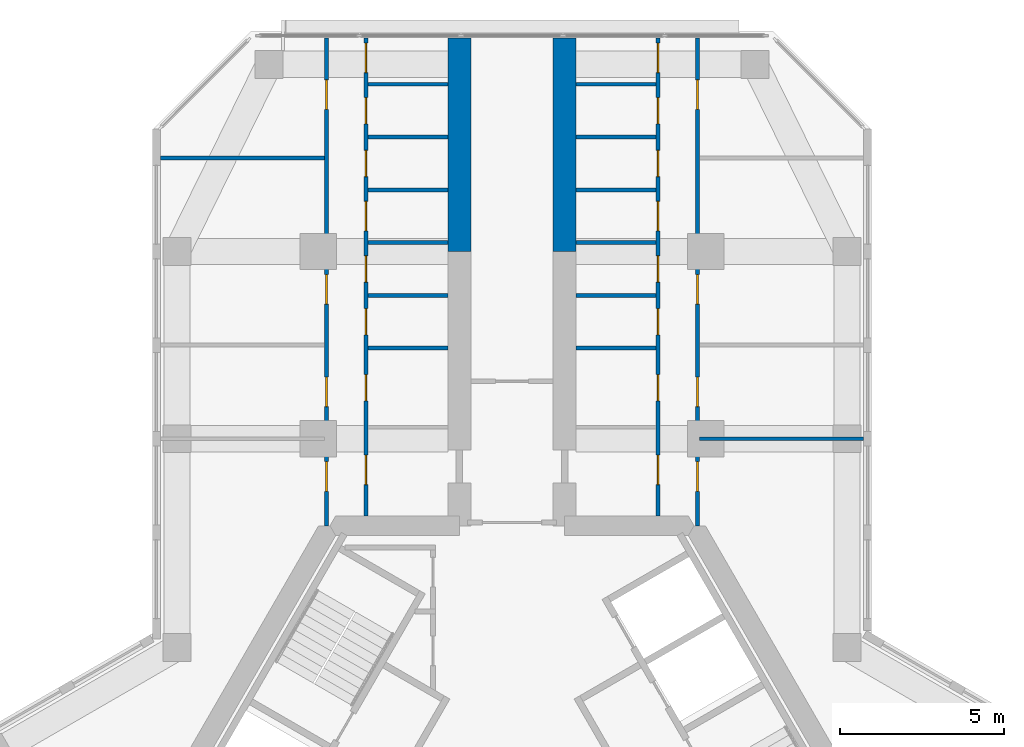
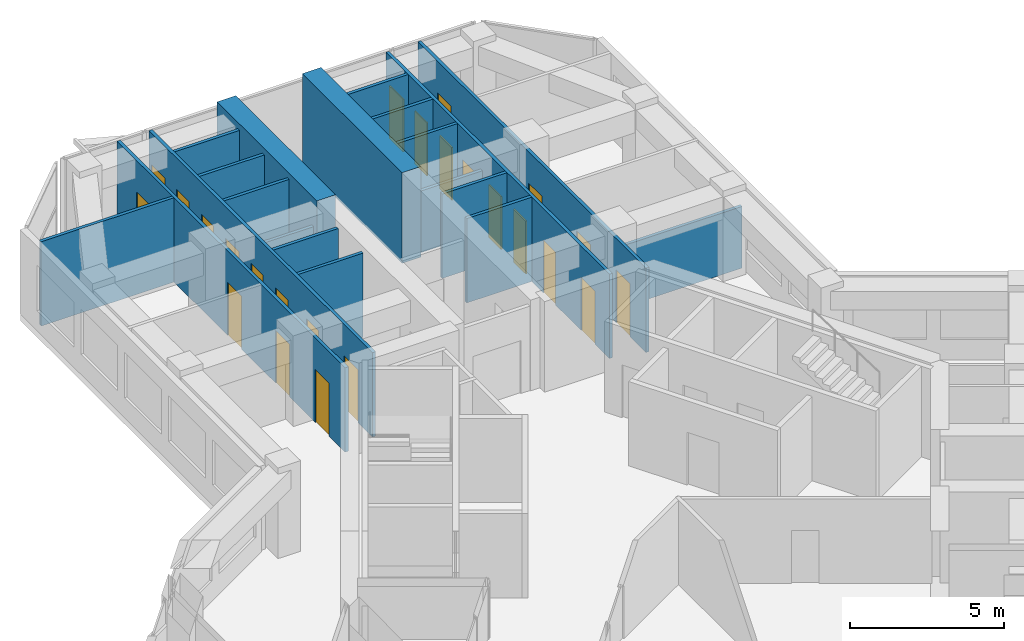
# One storey, part 14 of 16: 24 doors, 20 walls, 24 openings.
"""IFC4 building model written with IfcOpenShell, lengths in metres."""

from ifc_helpers import new_model, si_unit, direction, frame, frame_2d, origin, place, context, subcontext, project, spatial, rectangle, extrude, material, layer, layer_set, type_object, element, fill, save


model = new_model("IFC4")

# Units and contexts
model_context = context("Model", 3, precision=1e-05, world=origin(), true_north=direction((0.0, 1.0)))
body_context = subcontext(model_context, "Body", "Model", "MODEL_VIEW")
ifc_project = project(units=[si_unit("LENGTHUNIT", "METRE"), si_unit("AREAUNIT", "SQUARE_METRE"), si_unit("VOLUMEUNIT", "CUBIC_METRE"), si_unit("PLANEANGLEUNIT", "RADIAN"), si_unit("MASSUNIT", "GRAM", prefix="KILO")], contexts=[model_context])

# Site, building, storey
site_placement = place(None, origin())
site = spatial("IfcSite", under=ifc_project, at=site_placement, CompositionType="ELEMENT")
building_placement = place(site_placement, origin())
building = spatial("IfcBuilding", under=site, at=building_placement, Name="Kosmar Iwan School Tower", CompositionType="ELEMENT")
storey_placement = place(building_placement, frame((0.0, 0.0, 231.60009765625)))
storey = spatial("IfcBuildingStorey", under=building, at=storey_placement, Name="L58", CompositionType="ELEMENT", Elevation=231.60009765625)

# Walls
ifc_material_1 = material(Name="Concrete C50/60", Category="concrete")
ifc_layer_1 = layer(ifc_material_1, 0.699951171875)
ifc_layer_set_1 = layer_set([ifc_layer_1], Name="Corridor buttress wall 700")
wall_type_1 = type_object("IfcWallType", Name="Corridor buttress wall 700", PredefinedType="SHEAR", material=ifc_layer_set_1)
for number, where, z_axis, x_axis, name in (
    (1, (-1.60009765625, 17.949951171875, 0.0), (0.0, 0.0, 1.0), (0.0, 1.0, 0.0), "Corridor wall AL bay 2"),
    (2, (1.60009765625, 17.949951171875, 0.0), (0.0, 0.0, 1.0), (0.0, 1.0, 0.0), "Corridor wall AR bay 2"),
):
    element("IfcWall", number, at=place(storey_placement, frame(where, z_axis=z_axis, x_axis=x_axis)), inside=storey, type_object=wall_type_1, Name=name, PredefinedType="SHEAR", context=body_context, shape_type="SweptSolid", body=[
        extrude(rectangle(XDim=6.4951171875, YDim=0.699951171875, at=frame_2d((3.24755859375, 0.0))), origin(), (0.0, 0.0, 1.0), 3.599853515625),
    ])

# Wall, openings, doors
ifc_material_2 = material(Name="Gypsum board on steel studs", Category="steel")
ifc_layer_2 = layer(ifc_material_2, 0.1201171875)
ifc_layer_set_2 = layer_set([ifc_layer_2], Name="Dwelling partition 120")
wall_type_2 = type_object("IfcWallType", Name="Dwelling partition 120", PredefinedType="PARTITIONING", material=ifc_layer_set_2)
wall_1_placement = place(storey_placement, frame((-4.449951171875, 9.89990234375, 0.0), z_axis=(0.0, 0.0, 1.0), x_axis=(0.0, 1.0, 0.0)))
wall_1 = element("IfcWall", 3, at=wall_1_placement, inside=storey, type_object=wall_type_2, Name="Partition L58-AL1-W1", PredefinedType="PARTITIONING", context=body_context, shape_type="SweptSolid", body=[
    extrude(rectangle(XDim=14.545166015625, YDim=0.1201171875, at=frame_2d((7.2724609375, 0.0))), origin(), (0.0, 0.0, 1.0), 3.349853515625),
])
opening_1_placement = place(wall_1_placement, frame((0.949951171875, 0.0, 0.0)))
opening_1 = element("IfcOpeningElement", 4, at=opening_1_placement, cuts=wall_1, Name="Opening D2", PredefinedType="OPENING", context=body_context, shape_type="SweptSolid", body=[
    extrude(rectangle(XDim=0.89990234375, YDim=2.10009765625, at=frame_2d((0.449951171875, 1.050048828125))), frame((0.0, 0.072021484375, 0.0), z_axis=(0.0, -1.0, 0.0), x_axis=(1.0, 0.0, 0.0)), (0.0, 0.0, 1.0), 0.14404296875),
])
opening_2_placement = place(wall_1_placement, frame((3.505126953125, 0.0, 0.0)))
opening_2 = element("IfcOpeningElement", 5, at=opening_2_placement, cuts=wall_1, Name="Opening D3", PredefinedType="OPENING", context=body_context, shape_type="SweptSolid", body=[
    extrude(rectangle(XDim=0.800048828125, YDim=2.10009765625, at=frame_2d((0.39990234375, 1.050048828125))), frame((0.0, 0.072021484375, 0.0), z_axis=(0.0, -1.0, 0.0), x_axis=(1.0, 0.0, 0.0)), (0.0, 0.0, 1.0), 0.14404296875),
])
opening_3_placement = place(wall_1_placement, frame((5.513427734375, 0.0, 0.0)))
opening_3 = element("IfcOpeningElement", 6, at=opening_3_placement, cuts=wall_1, Name="Opening D3", PredefinedType="OPENING", context=body_context, shape_type="SweptSolid", body=[
    extrude(rectangle(XDim=0.800048828125, YDim=2.10009765625, at=frame_2d((0.39990234375, 1.050048828125))), frame((0.0, 0.072021484375, 0.0), z_axis=(0.0, -1.0, 0.0), x_axis=(1.0, 0.0, 0.0)), (0.0, 0.0, 1.0), 0.14404296875),
])
opening_4_placement = place(wall_1_placement, frame((7.1201171875, 0.0, 0.0)))
opening_4 = element("IfcOpeningElement", 7, at=opening_4_placement, cuts=wall_1, Name="Opening D3", PredefinedType="OPENING", context=body_context, shape_type="SweptSolid", body=[
    extrude(rectangle(XDim=0.800048828125, YDim=2.10009765625, at=frame_2d((0.39990234375, 1.050048828125))), frame((0.0, 0.072021484375, 0.0), z_axis=(0.0, -1.0, 0.0), x_axis=(1.0, 0.0, 0.0)), (0.0, 0.0, 1.0), 0.14404296875),
])
opening_5_placement = place(wall_1_placement, frame((8.6767578125, 0.0, 0.0)))
opening_5 = element("IfcOpeningElement", 8, at=opening_5_placement, cuts=wall_1, Name="Opening D2", PredefinedType="OPENING", context=body_context, shape_type="SweptSolid", body=[
    extrude(rectangle(XDim=0.89990234375, YDim=2.10009765625, at=frame_2d((0.449951171875, 1.050048828125))), frame((0.0, 0.072021484375, 0.0), z_axis=(0.0, -1.0, 0.0), x_axis=(1.0, 0.0, 0.0)), (0.0, 0.0, 1.0), 0.14404296875),
])
opening_6_placement = place(wall_1_placement, frame((10.333251953125, 0.0, 0.0)))
opening_6 = element("IfcOpeningElement", 9, at=opening_6_placement, cuts=wall_1, Name="Opening D3", PredefinedType="OPENING", context=body_context, shape_type="SweptSolid", body=[
    extrude(rectangle(XDim=0.800048828125, YDim=2.10009765625, at=frame_2d((0.39990234375, 1.050048828125))), frame((0.0, 0.072021484375, 0.0), z_axis=(0.0, -1.0, 0.0), x_axis=(1.0, 0.0, 0.0)), (0.0, 0.0, 1.0), 0.14404296875),
])
opening_7_placement = place(wall_1_placement, frame((11.93994140625, 0.0, 0.0)))
opening_7 = element("IfcOpeningElement", 10, at=opening_7_placement, cuts=wall_1, Name="Opening D3", PredefinedType="OPENING", context=body_context, shape_type="SweptSolid", body=[
    extrude(rectangle(XDim=0.800048828125, YDim=2.10009765625, at=frame_2d((0.39990234375, 1.050048828125))), frame((0.0, 0.072021484375, 0.0), z_axis=(0.0, -1.0, 0.0), x_axis=(1.0, 0.0, 0.0)), (0.0, 0.0, 1.0), 0.14404296875),
])
opening_8_placement = place(wall_1_placement, frame((13.49658203125, 0.0, 0.0)))
opening_8 = element("IfcOpeningElement", 11, at=opening_8_placement, cuts=wall_1, Name="Opening D2", PredefinedType="OPENING", context=body_context, shape_type="SweptSolid", body=[
    extrude(rectangle(XDim=0.89990234375, YDim=2.10009765625, at=frame_2d((0.449951171875, 1.050048828125))), frame((0.0, 0.072021484375, 0.0), z_axis=(0.0, -1.0, 0.0), x_axis=(1.0, 0.0, 0.0)), (0.0, 0.0, 1.0), 0.14404296875),
])
ifc_material_3 = material(Name="Timber door in timber frame", Category="wood")
door_type_1 = type_object("IfcDoorType", Name="Internal door 900x2100", OperationType="SINGLE_SWING_LEFT", PredefinedType="DOOR", material=ifc_material_3)
door_1_placement = place(opening_1_placement, origin())
door_1 = element("IfcDoor", 12, at=door_1_placement, inside=storey, type_object=door_type_1, Name="Entrance hall door L58-AL1-S1", OperationType="SINGLE_SWING_LEFT", OverallHeight=2.10009765625, OverallWidth=0.89990234375, PredefinedType="DOOR", context=body_context, shape_type="SweptSolid", body=[
    extrude(rectangle(XDim=0.89990234375, YDim=2.10009765625, at=frame_2d((0.449951171875, 1.050048828125))), frame((0.0, 0.02490234375, 0.0), z_axis=(0.0, -1.0, 0.0), x_axis=(1.0, 0.0, 0.0)), (0.0, 0.0, 1.0), 0.050048828125),
])
fill(opening_1, door_1)
door_2_placement = place(opening_5_placement, origin())
door_2 = element("IfcDoor", 13, at=door_2_placement, inside=storey, type_object=door_type_1, Name="Pantry door L58-AL1-S5", OperationType="SINGLE_SWING_RIGHT", OverallHeight=2.10009765625, OverallWidth=0.89990234375, PredefinedType="DOOR", context=body_context, shape_type="SweptSolid", body=[
    extrude(rectangle(XDim=0.89990234375, YDim=2.10009765625, at=frame_2d((0.449951171875, 1.050048828125))), frame((0.0, 0.02490234375, 0.0), z_axis=(0.0, -1.0, 0.0), x_axis=(1.0, 0.0, 0.0)), (0.0, 0.0, 1.0), 0.050048828125),
])
fill(opening_5, door_2)
door_3_placement = place(opening_8_placement, origin())
door_3 = element("IfcDoor", 14, at=door_3_placement, inside=storey, type_object=door_type_1, Name="Utility room door L58-AL1-S8", OperationType="SINGLE_SWING_RIGHT", OverallHeight=2.10009765625, OverallWidth=0.89990234375, PredefinedType="DOOR", context=body_context, shape_type="SweptSolid", body=[
    extrude(rectangle(XDim=0.89990234375, YDim=2.10009765625, at=frame_2d((0.449951171875, 1.050048828125))), frame((0.0, 0.02490234375, 0.0), z_axis=(0.0, -1.0, 0.0), x_axis=(1.0, 0.0, 0.0)), (0.0, 0.0, 1.0), 0.050048828125),
])
fill(opening_8, door_3)
ifc_material_4 = material(Name="Timber door in timber frame", Category="wood")
door_type_2 = type_object("IfcDoorType", Name="Sanitary room door 800x2100", OperationType="SINGLE_SWING_LEFT", PredefinedType="DOOR", material=ifc_material_4)
door_4_placement = place(opening_2_placement, origin())
door_4 = element("IfcDoor", 15, at=door_4_placement, inside=storey, type_object=door_type_2, Name="Bathroom door L58-AL1-S2", OperationType="SINGLE_SWING_LEFT", OverallHeight=2.10009765625, OverallWidth=0.800048828125, PredefinedType="DOOR", context=body_context, shape_type="SweptSolid", body=[
    extrude(rectangle(XDim=0.800048828125, YDim=2.10009765625, at=frame_2d((0.39990234375, 1.050048828125))), frame((0.0, 0.02490234375, 0.0), z_axis=(0.0, -1.0, 0.0), x_axis=(1.0, 0.0, 0.0)), (0.0, 0.0, 1.0), 0.050048828125),
])
fill(opening_2, door_4)
door_5_placement = place(opening_3_placement, origin())
door_5 = element("IfcDoor", 16, at=door_5_placement, inside=storey, type_object=door_type_2, Name="Grandparents' shower room door L58-AL1-S3", OperationType="SINGLE_SWING_LEFT", OverallHeight=2.10009765625, OverallWidth=0.800048828125, PredefinedType="DOOR", context=body_context, shape_type="SweptSolid", body=[
    extrude(rectangle(XDim=0.800048828125, YDim=2.10009765625, at=frame_2d((0.39990234375, 1.050048828125))), frame((0.0, 0.02490234375, 0.0), z_axis=(0.0, -1.0, 0.0), x_axis=(1.0, 0.0, 0.0)), (0.0, 0.0, 1.0), 0.050048828125),
])
fill(opening_3, door_5)
door_6_placement = place(opening_4_placement, origin())
door_6 = element("IfcDoor", 17, at=door_6_placement, inside=storey, type_object=door_type_2, Name="Shower room door L58-AL1-S4", OperationType="SINGLE_SWING_RIGHT", OverallHeight=2.10009765625, OverallWidth=0.800048828125, PredefinedType="DOOR", context=body_context, shape_type="SweptSolid", body=[
    extrude(rectangle(XDim=0.800048828125, YDim=2.10009765625, at=frame_2d((0.39990234375, 1.050048828125))), frame((0.0, 0.02490234375, 0.0), z_axis=(0.0, -1.0, 0.0), x_axis=(1.0, 0.0, 0.0)), (0.0, 0.0, 1.0), 0.050048828125),
])
fill(opening_4, door_6)
door_7_placement = place(opening_6_placement, origin())
door_7 = element("IfcDoor", 18, at=door_7_placement, inside=storey, type_object=door_type_2, Name="WC door L58-AL1-S6", OperationType="SINGLE_SWING_RIGHT", OverallHeight=2.10009765625, OverallWidth=0.800048828125, PredefinedType="DOOR", context=body_context, shape_type="SweptSolid", body=[
    extrude(rectangle(XDim=0.800048828125, YDim=2.10009765625, at=frame_2d((0.39990234375, 1.050048828125))), frame((0.0, 0.02490234375, 0.0), z_axis=(0.0, -1.0, 0.0), x_axis=(1.0, 0.0, 0.0)), (0.0, 0.0, 1.0), 0.050048828125),
])
fill(opening_6, door_7)
door_8_placement = place(opening_7_placement, origin())
door_8 = element("IfcDoor", 19, at=door_8_placement, inside=storey, type_object=door_type_2, Name="Store door L58-AL1-S7", OperationType="SINGLE_SWING_RIGHT", OverallHeight=2.10009765625, OverallWidth=0.800048828125, PredefinedType="DOOR", context=body_context, shape_type="SweptSolid", body=[
    extrude(rectangle(XDim=0.800048828125, YDim=2.10009765625, at=frame_2d((0.39990234375, 1.050048828125))), frame((0.0, 0.02490234375, 0.0), z_axis=(0.0, -1.0, 0.0), x_axis=(1.0, 0.0, 0.0)), (0.0, 0.0, 1.0), 0.050048828125),
])
fill(opening_7, door_8)

wall_2_placement = place(storey_placement, frame((-5.64990234375, 9.60009765625, 0.0), z_axis=(0.0, 0.0, 1.0), x_axis=(0.0, 1.0, 0.0)))
wall_2 = element("IfcWall", 20, at=wall_2_placement, inside=storey, type_object=wall_type_2, Name="Partition L58-AL1-W2", PredefinedType="PARTITIONING", context=body_context, shape_type="SweptSolid", body=[
    extrude(rectangle(XDim=14.844970703125, YDim=0.1201171875, at=frame_2d((7.42236328125, 0.0))), origin(), (0.0, 0.0, 1.0), 3.349853515625),
])
opening_9_placement = place(wall_2_placement, frame((1.050048828125, 0.0, 0.0)))
opening_9 = element("IfcOpeningElement", 21, at=opening_9_placement, cuts=wall_2, Name="Opening D2", PredefinedType="OPENING", context=body_context, shape_type="SweptSolid", body=[
    extrude(rectangle(XDim=0.89990234375, YDim=2.10009765625, at=frame_2d((0.449951171875, 1.050048828125))), frame((0.0, 0.072021484375, 0.0), z_axis=(0.0, -1.0, 0.0), x_axis=(1.0, 0.0, 0.0)), (0.0, 0.0, 1.0), 0.14404296875),
])
opening_10_placement = place(wall_2_placement, frame((3.625, 0.0, 0.0)))
opening_10 = element("IfcOpeningElement", 22, at=opening_10_placement, cuts=wall_2, Name="Opening D2", PredefinedType="OPENING", context=body_context, shape_type="SweptSolid", body=[
    extrude(rectangle(XDim=0.89990234375, YDim=2.10009765625, at=frame_2d((0.449951171875, 1.050048828125))), frame((0.0, 0.072021484375, 0.0), z_axis=(0.0, -1.0, 0.0), x_axis=(1.0, 0.0, 0.0)), (0.0, 0.0, 1.0), 0.14404296875),
])
opening_11_placement = place(wall_2_placement, frame((6.75, 0.0, 0.0)))
opening_11 = element("IfcOpeningElement", 23, at=opening_11_placement, cuts=wall_2, Name="Opening D2", PredefinedType="OPENING", context=body_context, shape_type="SweptSolid", body=[
    extrude(rectangle(XDim=0.89990234375, YDim=2.10009765625, at=frame_2d((0.449951171875, 1.050048828125))), frame((0.0, 0.072021484375, 0.0), z_axis=(0.0, -1.0, 0.0), x_axis=(1.0, 0.0, 0.0)), (0.0, 0.0, 1.0), 0.14404296875),
])
opening_12_placement = place(wall_2_placement, frame((12.675048828125, 0.0, 0.0)))
opening_12 = element("IfcOpeningElement", 24, at=opening_12_placement, cuts=wall_2, Name="Opening D2", PredefinedType="OPENING", context=body_context, shape_type="SweptSolid", body=[
    extrude(rectangle(XDim=0.89990234375, YDim=2.10009765625, at=frame_2d((0.449951171875, 1.050048828125))), frame((0.0, 0.072021484375, 0.0), z_axis=(0.0, -1.0, 0.0), x_axis=(1.0, 0.0, 0.0)), (0.0, 0.0, 1.0), 0.14404296875),
])
door_9_placement = place(opening_9_placement, origin())
door_9 = element("IfcDoor", 25, at=door_9_placement, inside=storey, type_object=door_type_1, Name="Bedroom 1 door L58-AL1-F1", OperationType="SINGLE_SWING_LEFT", OverallHeight=2.10009765625, OverallWidth=0.89990234375, PredefinedType="DOOR", context=body_context, shape_type="SweptSolid", body=[
    extrude(rectangle(XDim=0.89990234375, YDim=2.10009765625, at=frame_2d((0.449951171875, 1.050048828125))), frame((0.0, 0.02490234375, 0.0), z_axis=(0.0, -1.0, 0.0), x_axis=(1.0, 0.0, 0.0)), (0.0, 0.0, 1.0), 0.050048828125),
])
fill(opening_9, door_9)
door_10_placement = place(opening_10_placement, origin())
door_10 = element("IfcDoor", 26, at=door_10_placement, inside=storey, type_object=door_type_1, Name="Study door L58-AL1-F2", OperationType="SINGLE_SWING_RIGHT", OverallHeight=2.10009765625, OverallWidth=0.89990234375, PredefinedType="DOOR", context=body_context, shape_type="SweptSolid", body=[
    extrude(rectangle(XDim=0.89990234375, YDim=2.10009765625, at=frame_2d((0.449951171875, 1.050048828125))), frame((0.0, 0.02490234375, 0.0), z_axis=(0.0, -1.0, 0.0), x_axis=(1.0, 0.0, 0.0)), (0.0, 0.0, 1.0), 0.050048828125),
])
fill(opening_10, door_10)
door_11_placement = place(opening_11_placement, origin())
door_11 = element("IfcDoor", 27, at=door_11_placement, inside=storey, type_object=door_type_1, Name="Living room and kitchen door L58-AL1-F3", OperationType="SINGLE_SWING_LEFT", OverallHeight=2.10009765625, OverallWidth=0.89990234375, PredefinedType="DOOR", context=body_context, shape_type="SweptSolid", body=[
    extrude(rectangle(XDim=0.89990234375, YDim=2.10009765625, at=frame_2d((0.449951171875, 1.050048828125))), frame((0.0, 0.02490234375, 0.0), z_axis=(0.0, -1.0, 0.0), x_axis=(1.0, 0.0, 0.0)), (0.0, 0.0, 1.0), 0.050048828125),
])
fill(opening_11, door_11)
door_12_placement = place(opening_12_placement, origin())
door_12 = element("IfcDoor", 28, at=door_12_placement, inside=storey, type_object=door_type_1, Name="Grandparents' suite door L58-AL1-F4", OperationType="SINGLE_SWING_RIGHT", OverallHeight=2.10009765625, OverallWidth=0.89990234375, PredefinedType="DOOR", context=body_context, shape_type="SweptSolid", body=[
    extrude(rectangle(XDim=0.89990234375, YDim=2.10009765625, at=frame_2d((0.449951171875, 1.050048828125))), frame((0.0, 0.02490234375, 0.0), z_axis=(0.0, -1.0, 0.0), x_axis=(1.0, 0.0, 0.0)), (0.0, 0.0, 1.0), 0.050048828125),
])
fill(opening_12, door_12)

# Walls
wall_3_placement = place(storey_placement, frame((-5.7099609375, 20.800048828125, 0.0), z_axis=(0.0, 0.0, 1.0), x_axis=(-1.0, 0.0, 0.0)))
element("IfcWall", 29, at=wall_3_placement, inside=storey, type_object=wall_type_2, Name="Partition L58-AL1-X3", PredefinedType="PARTITIONING", context=body_context, shape_type="SweptSolid", body=[
    extrude(rectangle(XDim=4.989990234375, YDim=0.1201171875, at=frame_2d((2.4951171875, 0.0))), origin(), (0.0, 0.0, 1.0), 3.349853515625),
])
for number, where, z_axis, x_axis, name in (
    (30, (-1.949951171875, 15.010009765625, 0.0), (0.0, 0.0, 1.0), (-1.0, 0.0, 0.0), "Partition L58-AL1-Y2"),
    (31, (-1.949951171875, 16.61669921875, 0.0), (0.0, 0.0, 1.0), (-1.0, 0.0, 0.0), "Partition L58-AL1-Y3"),
):
    element("IfcWall", number, at=place(storey_placement, frame(where, z_axis=z_axis, x_axis=x_axis)), inside=storey, type_object=wall_type_2, Name=name, PredefinedType="PARTITIONING", context=body_context, shape_type="SweptSolid", body=[
        extrude(rectangle(XDim=2.43994140625, YDim=0.1201171875, at=frame_2d((1.219970703125, 0.0))), origin(), (0.0, 0.0, 1.0), 3.349853515625),
    ])
wall_4_placement = place(storey_placement, frame((-1.949951171875, 18.223388671875, 0.0), z_axis=(0.0, 0.0, 1.0), x_axis=(-1.0, 0.0, 0.0)))
element("IfcWall", 32, at=wall_4_placement, inside=storey, type_object=wall_type_2, Name="Partition L58-AL1-Y4", PredefinedType="PARTITIONING", context=body_context, shape_type="SweptSolid", body=[
    extrude(rectangle(XDim=2.43994140625, YDim=0.1201171875, at=frame_2d((1.219970703125, 0.0))), origin(), (0.0, 0.0, 1.0), 2.449951171875),
])
for number, where, z_axis, x_axis, name in (
    (33, (-1.949951171875, 19.830078125, 0.0), (0.0, 0.0, 1.0), (-1.0, 0.0, 0.0), "Partition L58-AL1-Y5"),
    (34, (-1.949951171875, 21.436767578125, 0.0), (0.0, 0.0, 1.0), (-1.0, 0.0, 0.0), "Partition L58-AL1-Y6"),
    (35, (-1.949951171875, 23.043212890625, 0.0), (0.0, 0.0, 1.0), (-1.0, 0.0, 0.0), "Partition L58-AL1-Y7"),
):
    element("IfcWall", number, at=place(storey_placement, frame(where, z_axis=z_axis, x_axis=x_axis)), inside=storey, type_object=wall_type_2, Name=name, PredefinedType="PARTITIONING", context=body_context, shape_type="SweptSolid", body=[
        extrude(rectangle(XDim=2.43994140625, YDim=0.1201171875, at=frame_2d((1.219970703125, 0.0))), origin(), (0.0, 0.0, 1.0), 3.349853515625),
    ])

# Wall, openings, doors
wall_5_placement = place(storey_placement, frame((4.449951171875, 9.89990234375, 0.0), z_axis=(0.0, 0.0, 1.0), x_axis=(0.0, 1.0, 0.0)))
wall_5 = element("IfcWall", 36, at=wall_5_placement, inside=storey, type_object=wall_type_2, Name="Partition L58-AR1-W1", PredefinedType="PARTITIONING", context=body_context, shape_type="SweptSolid", body=[
    extrude(rectangle(XDim=14.545166015625, YDim=0.1201171875, at=frame_2d((7.2724609375, 0.0))), origin(), (0.0, 0.0, 1.0), 3.349853515625),
])
opening_13_placement = place(wall_5_placement, frame((0.949951171875, 0.0, 0.0)))
opening_13 = element("IfcOpeningElement", 37, at=opening_13_placement, cuts=wall_5, Name="Opening D2", PredefinedType="OPENING", context=body_context, shape_type="SweptSolid", body=[
    extrude(rectangle(XDim=0.89990234375, YDim=2.10009765625, at=frame_2d((0.449951171875, 1.050048828125))), frame((0.0, 0.072021484375, 0.0), z_axis=(0.0, -1.0, 0.0), x_axis=(1.0, 0.0, 0.0)), (0.0, 0.0, 1.0), 0.14404296875),
])
opening_14_placement = place(wall_5_placement, frame((3.505126953125, 0.0, 0.0)))
opening_14 = element("IfcOpeningElement", 38, at=opening_14_placement, cuts=wall_5, Name="Opening D3", PredefinedType="OPENING", context=body_context, shape_type="SweptSolid", body=[
    extrude(rectangle(XDim=0.800048828125, YDim=2.10009765625, at=frame_2d((0.39990234375, 1.050048828125))), frame((0.0, 0.072021484375, 0.0), z_axis=(0.0, -1.0, 0.0), x_axis=(1.0, 0.0, 0.0)), (0.0, 0.0, 1.0), 0.14404296875),
])
opening_15_placement = place(wall_5_placement, frame((5.513427734375, 0.0, 0.0)))
opening_15 = element("IfcOpeningElement", 39, at=opening_15_placement, cuts=wall_5, Name="Opening D3", PredefinedType="OPENING", context=body_context, shape_type="SweptSolid", body=[
    extrude(rectangle(XDim=0.800048828125, YDim=2.10009765625, at=frame_2d((0.39990234375, 1.050048828125))), frame((0.0, 0.072021484375, 0.0), z_axis=(0.0, -1.0, 0.0), x_axis=(1.0, 0.0, 0.0)), (0.0, 0.0, 1.0), 0.14404296875),
])
opening_16_placement = place(wall_5_placement, frame((7.1201171875, 0.0, 0.0)))
opening_16 = element("IfcOpeningElement", 40, at=opening_16_placement, cuts=wall_5, Name="Opening D3", PredefinedType="OPENING", context=body_context, shape_type="SweptSolid", body=[
    extrude(rectangle(XDim=0.800048828125, YDim=2.10009765625, at=frame_2d((0.39990234375, 1.050048828125))), frame((0.0, 0.072021484375, 0.0), z_axis=(0.0, -1.0, 0.0), x_axis=(1.0, 0.0, 0.0)), (0.0, 0.0, 1.0), 0.14404296875),
])
opening_17_placement = place(wall_5_placement, frame((8.6767578125, 0.0, 0.0)))
opening_17 = element("IfcOpeningElement", 41, at=opening_17_placement, cuts=wall_5, Name="Opening D2", PredefinedType="OPENING", context=body_context, shape_type="SweptSolid", body=[
    extrude(rectangle(XDim=0.89990234375, YDim=2.10009765625, at=frame_2d((0.449951171875, 1.050048828125))), frame((0.0, 0.072021484375, 0.0), z_axis=(0.0, -1.0, 0.0), x_axis=(1.0, 0.0, 0.0)), (0.0, 0.0, 1.0), 0.14404296875),
])
opening_18_placement = place(wall_5_placement, frame((10.333251953125, 0.0, 0.0)))
opening_18 = element("IfcOpeningElement", 42, at=opening_18_placement, cuts=wall_5, Name="Opening D3", PredefinedType="OPENING", context=body_context, shape_type="SweptSolid", body=[
    extrude(rectangle(XDim=0.800048828125, YDim=2.10009765625, at=frame_2d((0.39990234375, 1.050048828125))), frame((0.0, 0.072021484375, 0.0), z_axis=(0.0, -1.0, 0.0), x_axis=(1.0, 0.0, 0.0)), (0.0, 0.0, 1.0), 0.14404296875),
])
opening_19_placement = place(wall_5_placement, frame((11.93994140625, 0.0, 0.0)))
opening_19 = element("IfcOpeningElement", 43, at=opening_19_placement, cuts=wall_5, Name="Opening D3", PredefinedType="OPENING", context=body_context, shape_type="SweptSolid", body=[
    extrude(rectangle(XDim=0.800048828125, YDim=2.10009765625, at=frame_2d((0.39990234375, 1.050048828125))), frame((0.0, 0.072021484375, 0.0), z_axis=(0.0, -1.0, 0.0), x_axis=(1.0, 0.0, 0.0)), (0.0, 0.0, 1.0), 0.14404296875),
])
opening_20_placement = place(wall_5_placement, frame((13.49658203125, 0.0, 0.0)))
opening_20 = element("IfcOpeningElement", 44, at=opening_20_placement, cuts=wall_5, Name="Opening D2", PredefinedType="OPENING", context=body_context, shape_type="SweptSolid", body=[
    extrude(rectangle(XDim=0.89990234375, YDim=2.10009765625, at=frame_2d((0.449951171875, 1.050048828125))), frame((0.0, 0.072021484375, 0.0), z_axis=(0.0, -1.0, 0.0), x_axis=(1.0, 0.0, 0.0)), (0.0, 0.0, 1.0), 0.14404296875),
])
door_13_placement = place(opening_13_placement, origin())
door_13 = element("IfcDoor", 45, at=door_13_placement, inside=storey, type_object=door_type_1, Name="Entrance hall door L58-AR1-S1", OperationType="SINGLE_SWING_LEFT", OverallHeight=2.10009765625, OverallWidth=0.89990234375, PredefinedType="DOOR", context=body_context, shape_type="SweptSolid", body=[
    extrude(rectangle(XDim=0.89990234375, YDim=2.10009765625, at=frame_2d((0.449951171875, 1.050048828125))), frame((0.0, 0.02490234375, 0.0), z_axis=(0.0, -1.0, 0.0), x_axis=(1.0, 0.0, 0.0)), (0.0, 0.0, 1.0), 0.050048828125),
])
fill(opening_13, door_13)
door_14_placement = place(opening_17_placement, origin())
door_14 = element("IfcDoor", 46, at=door_14_placement, inside=storey, type_object=door_type_1, Name="Pantry door L58-AR1-S5", OperationType="SINGLE_SWING_LEFT", OverallHeight=2.10009765625, OverallWidth=0.89990234375, PredefinedType="DOOR", context=body_context, shape_type="SweptSolid", body=[
    extrude(rectangle(XDim=0.89990234375, YDim=2.10009765625, at=frame_2d((0.449951171875, 1.050048828125))), frame((0.0, 0.02490234375, 0.0), z_axis=(0.0, -1.0, 0.0), x_axis=(1.0, 0.0, 0.0)), (0.0, 0.0, 1.0), 0.050048828125),
])
fill(opening_17, door_14)
door_15_placement = place(opening_20_placement, origin())
door_15 = element("IfcDoor", 47, at=door_15_placement, inside=storey, type_object=door_type_1, Name="Utility room door L58-AR1-S8", OperationType="SINGLE_SWING_RIGHT", OverallHeight=2.10009765625, OverallWidth=0.89990234375, PredefinedType="DOOR", context=body_context, shape_type="SweptSolid", body=[
    extrude(rectangle(XDim=0.89990234375, YDim=2.10009765625, at=frame_2d((0.449951171875, 1.050048828125))), frame((0.0, 0.02490234375, 0.0), z_axis=(0.0, -1.0, 0.0), x_axis=(1.0, 0.0, 0.0)), (0.0, 0.0, 1.0), 0.050048828125),
])
fill(opening_20, door_15)
door_16_placement = place(opening_14_placement, origin())
door_16 = element("IfcDoor", 48, at=door_16_placement, inside=storey, type_object=door_type_2, Name="Bathroom door L58-AR1-S2", OperationType="SINGLE_SWING_RIGHT", OverallHeight=2.10009765625, OverallWidth=0.800048828125, PredefinedType="DOOR", context=body_context, shape_type="SweptSolid", body=[
    extrude(rectangle(XDim=0.800048828125, YDim=2.10009765625, at=frame_2d((0.39990234375, 1.050048828125))), frame((0.0, 0.02490234375, 0.0), z_axis=(0.0, -1.0, 0.0), x_axis=(1.0, 0.0, 0.0)), (0.0, 0.0, 1.0), 0.050048828125),
])
fill(opening_14, door_16)
door_17_placement = place(opening_15_placement, origin())
door_17 = element("IfcDoor", 49, at=door_17_placement, inside=storey, type_object=door_type_2, Name="Grandparents' shower room door L58-AR1-S3", OperationType="SINGLE_SWING_LEFT", OverallHeight=2.10009765625, OverallWidth=0.800048828125, PredefinedType="DOOR", context=body_context, shape_type="SweptSolid", body=[
    extrude(rectangle(XDim=0.800048828125, YDim=2.10009765625, at=frame_2d((0.39990234375, 1.050048828125))), frame((0.0, 0.02490234375, 0.0), z_axis=(0.0, -1.0, 0.0), x_axis=(1.0, 0.0, 0.0)), (0.0, 0.0, 1.0), 0.050048828125),
])
fill(opening_15, door_17)
door_18_placement = place(opening_16_placement, origin())
door_18 = element("IfcDoor", 50, at=door_18_placement, inside=storey, type_object=door_type_2, Name="Shower room door L58-AR1-S4", OperationType="SINGLE_SWING_RIGHT", OverallHeight=2.10009765625, OverallWidth=0.800048828125, PredefinedType="DOOR", context=body_context, shape_type="SweptSolid", body=[
    extrude(rectangle(XDim=0.800048828125, YDim=2.10009765625, at=frame_2d((0.39990234375, 1.050048828125))), frame((0.0, 0.02490234375, 0.0), z_axis=(0.0, -1.0, 0.0), x_axis=(1.0, 0.0, 0.0)), (0.0, 0.0, 1.0), 0.050048828125),
])
fill(opening_16, door_18)
door_19_placement = place(opening_18_placement, origin())
door_19 = element("IfcDoor", 51, at=door_19_placement, inside=storey, type_object=door_type_2, Name="WC door L58-AR1-S6", OperationType="SINGLE_SWING_RIGHT", OverallHeight=2.10009765625, OverallWidth=0.800048828125, PredefinedType="DOOR", context=body_context, shape_type="SweptSolid", body=[
    extrude(rectangle(XDim=0.800048828125, YDim=2.10009765625, at=frame_2d((0.39990234375, 1.050048828125))), frame((0.0, 0.02490234375, 0.0), z_axis=(0.0, -1.0, 0.0), x_axis=(1.0, 0.0, 0.0)), (0.0, 0.0, 1.0), 0.050048828125),
])
fill(opening_18, door_19)
door_20_placement = place(opening_19_placement, origin())
door_20 = element("IfcDoor", 52, at=door_20_placement, inside=storey, type_object=door_type_2, Name="Store door L58-AR1-S7", OperationType="SINGLE_SWING_LEFT", OverallHeight=2.10009765625, OverallWidth=0.800048828125, PredefinedType="DOOR", context=body_context, shape_type="SweptSolid", body=[
    extrude(rectangle(XDim=0.800048828125, YDim=2.10009765625, at=frame_2d((0.39990234375, 1.050048828125))), frame((0.0, 0.02490234375, 0.0), z_axis=(0.0, -1.0, 0.0), x_axis=(1.0, 0.0, 0.0)), (0.0, 0.0, 1.0), 0.050048828125),
])
fill(opening_19, door_20)

wall_6_placement = place(storey_placement, frame((5.64990234375, 9.60009765625, 0.0), z_axis=(0.0, 0.0, 1.0), x_axis=(0.0, 1.0, 0.0)))
wall_6 = element("IfcWall", 53, at=wall_6_placement, inside=storey, type_object=wall_type_2, Name="Partition L58-AR1-W2", PredefinedType="PARTITIONING", context=body_context, shape_type="SweptSolid", body=[
    extrude(rectangle(XDim=14.844970703125, YDim=0.1201171875, at=frame_2d((7.42236328125, 0.0))), origin(), (0.0, 0.0, 1.0), 3.349853515625),
])
opening_21_placement = place(wall_6_placement, frame((1.050048828125, 0.0, 0.0)))
opening_21 = element("IfcOpeningElement", 54, at=opening_21_placement, cuts=wall_6, Name="Opening D2", PredefinedType="OPENING", context=body_context, shape_type="SweptSolid", body=[
    extrude(rectangle(XDim=0.89990234375, YDim=2.10009765625, at=frame_2d((0.449951171875, 1.050048828125))), frame((0.0, 0.072021484375, 0.0), z_axis=(0.0, -1.0, 0.0), x_axis=(1.0, 0.0, 0.0)), (0.0, 0.0, 1.0), 0.14404296875),
])
opening_22_placement = place(wall_6_placement, frame((3.625, 0.0, 0.0)))
opening_22 = element("IfcOpeningElement", 55, at=opening_22_placement, cuts=wall_6, Name="Opening D2", PredefinedType="OPENING", context=body_context, shape_type="SweptSolid", body=[
    extrude(rectangle(XDim=0.89990234375, YDim=2.10009765625, at=frame_2d((0.449951171875, 1.050048828125))), frame((0.0, 0.072021484375, 0.0), z_axis=(0.0, -1.0, 0.0), x_axis=(1.0, 0.0, 0.0)), (0.0, 0.0, 1.0), 0.14404296875),
])
opening_23_placement = place(wall_6_placement, frame((6.75, 0.0, 0.0)))
opening_23 = element("IfcOpeningElement", 56, at=opening_23_placement, cuts=wall_6, Name="Opening D2", PredefinedType="OPENING", context=body_context, shape_type="SweptSolid", body=[
    extrude(rectangle(XDim=0.89990234375, YDim=2.10009765625, at=frame_2d((0.449951171875, 1.050048828125))), frame((0.0, 0.072021484375, 0.0), z_axis=(0.0, -1.0, 0.0), x_axis=(1.0, 0.0, 0.0)), (0.0, 0.0, 1.0), 0.14404296875),
])
opening_24_placement = place(wall_6_placement, frame((12.675048828125, 0.0, 0.0)))
opening_24 = element("IfcOpeningElement", 57, at=opening_24_placement, cuts=wall_6, Name="Opening D2", PredefinedType="OPENING", context=body_context, shape_type="SweptSolid", body=[
    extrude(rectangle(XDim=0.89990234375, YDim=2.10009765625, at=frame_2d((0.449951171875, 1.050048828125))), frame((0.0, 0.072021484375, 0.0), z_axis=(0.0, -1.0, 0.0), x_axis=(1.0, 0.0, 0.0)), (0.0, 0.0, 1.0), 0.14404296875),
])
door_21_placement = place(opening_21_placement, origin())
door_21 = element("IfcDoor", 58, at=door_21_placement, inside=storey, type_object=door_type_1, Name="Bedroom 1 door L58-AR1-F1", OperationType="SINGLE_SWING_LEFT", OverallHeight=2.10009765625, OverallWidth=0.89990234375, PredefinedType="DOOR", context=body_context, shape_type="SweptSolid", body=[
    extrude(rectangle(XDim=0.89990234375, YDim=2.10009765625, at=frame_2d((0.449951171875, 1.050048828125))), frame((0.0, 0.02490234375, 0.0), z_axis=(0.0, -1.0, 0.0), x_axis=(1.0, 0.0, 0.0)), (0.0, 0.0, 1.0), 0.050048828125),
])
fill(opening_21, door_21)
door_22_placement = place(opening_22_placement, origin())
door_22 = element("IfcDoor", 59, at=door_22_placement, inside=storey, type_object=door_type_1, Name="Study door L58-AR1-F2", OperationType="SINGLE_SWING_LEFT", OverallHeight=2.10009765625, OverallWidth=0.89990234375, PredefinedType="DOOR", context=body_context, shape_type="SweptSolid", body=[
    extrude(rectangle(XDim=0.89990234375, YDim=2.10009765625, at=frame_2d((0.449951171875, 1.050048828125))), frame((0.0, 0.02490234375, 0.0), z_axis=(0.0, -1.0, 0.0), x_axis=(1.0, 0.0, 0.0)), (0.0, 0.0, 1.0), 0.050048828125),
])
fill(opening_22, door_22)
door_23_placement = place(opening_23_placement, origin())
door_23 = element("IfcDoor", 60, at=door_23_placement, inside=storey, type_object=door_type_1, Name="Living room and kitchen door L58-AR1-F3", OperationType="SINGLE_SWING_LEFT", OverallHeight=2.10009765625, OverallWidth=0.89990234375, PredefinedType="DOOR", context=body_context, shape_type="SweptSolid", body=[
    extrude(rectangle(XDim=0.89990234375, YDim=2.10009765625, at=frame_2d((0.449951171875, 1.050048828125))), frame((0.0, 0.02490234375, 0.0), z_axis=(0.0, -1.0, 0.0), x_axis=(1.0, 0.0, 0.0)), (0.0, 0.0, 1.0), 0.050048828125),
])
fill(opening_23, door_23)
door_24_placement = place(opening_24_placement, origin())
door_24 = element("IfcDoor", 61, at=door_24_placement, inside=storey, type_object=door_type_1, Name="Grandparents' suite door L58-AR1-F4", OperationType="SINGLE_SWING_RIGHT", OverallHeight=2.10009765625, OverallWidth=0.89990234375, PredefinedType="DOOR", context=body_context, shape_type="SweptSolid", body=[
    extrude(rectangle(XDim=0.89990234375, YDim=2.10009765625, at=frame_2d((0.449951171875, 1.050048828125))), frame((0.0, 0.02490234375, 0.0), z_axis=(0.0, -1.0, 0.0), x_axis=(1.0, 0.0, 0.0)), (0.0, 0.0, 1.0), 0.050048828125),
])
fill(opening_24, door_24)

# Walls
wall_7_placement = place(storey_placement, frame((5.7099609375, 12.25, 0.0), z_axis=(0.0, 0.0, 1.0), x_axis=(1.0, 0.0, 0.0)))
element("IfcWall", 62, at=wall_7_placement, inside=storey, type_object=wall_type_2, Name="Partition L58-AR1-X1", PredefinedType="PARTITIONING", context=body_context, shape_type="SweptSolid", body=[
    extrude(rectangle(XDim=4.989990234375, YDim=0.1201171875, at=frame_2d((2.4951171875, 0.0))), origin(), (0.0, 0.0, 1.0), 2.449951171875),
])
for number, where, z_axis, x_axis, name in (
    (63, (1.949951171875, 15.010009765625, 0.0), (0.0, 0.0, 1.0), (1.0, 0.0, 0.0), "Partition L58-AR1-Y2"),
    (64, (1.949951171875, 16.61669921875, 0.0), (0.0, 0.0, 1.0), (1.0, 0.0, 0.0), "Partition L58-AR1-Y3"),
):
    element("IfcWall", number, at=place(storey_placement, frame(where, z_axis=z_axis, x_axis=x_axis)), inside=storey, type_object=wall_type_2, Name=name, PredefinedType="PARTITIONING", context=body_context, shape_type="SweptSolid", body=[
        extrude(rectangle(XDim=2.43994140625, YDim=0.1201171875, at=frame_2d((1.219970703125, 0.0))), origin(), (0.0, 0.0, 1.0), 3.349853515625),
    ])
wall_8_placement = place(storey_placement, frame((1.949951171875, 18.223388671875, 0.0), z_axis=(0.0, 0.0, 1.0), x_axis=(1.0, 0.0, 0.0)))
element("IfcWall", 65, at=wall_8_placement, inside=storey, type_object=wall_type_2, Name="Partition L58-AR1-Y4", PredefinedType="PARTITIONING", context=body_context, shape_type="SweptSolid", body=[
    extrude(rectangle(XDim=2.43994140625, YDim=0.1201171875, at=frame_2d((1.219970703125, 0.0))), origin(), (0.0, 0.0, 1.0), 2.449951171875),
])
for number, where, z_axis, x_axis, name in (
    (66, (1.949951171875, 19.830078125, 0.0), (0.0, 0.0, 1.0), (1.0, 0.0, 0.0), "Partition L58-AR1-Y5"),
    (67, (1.949951171875, 21.436767578125, 0.0), (0.0, 0.0, 1.0), (1.0, 0.0, 0.0), "Partition L58-AR1-Y6"),
    (68, (1.949951171875, 23.043212890625, 0.0), (0.0, 0.0, 1.0), (1.0, 0.0, 0.0), "Partition L58-AR1-Y7"),
):
    element("IfcWall", number, at=place(storey_placement, frame(where, z_axis=z_axis, x_axis=x_axis)), inside=storey, type_object=wall_type_2, Name=name, PredefinedType="PARTITIONING", context=body_context, shape_type="SweptSolid", body=[
        extrude(rectangle(XDim=2.43994140625, YDim=0.1201171875, at=frame_2d((1.219970703125, 0.0))), origin(), (0.0, 0.0, 1.0), 3.349853515625),
    ])

save(model, "model.ifc")
